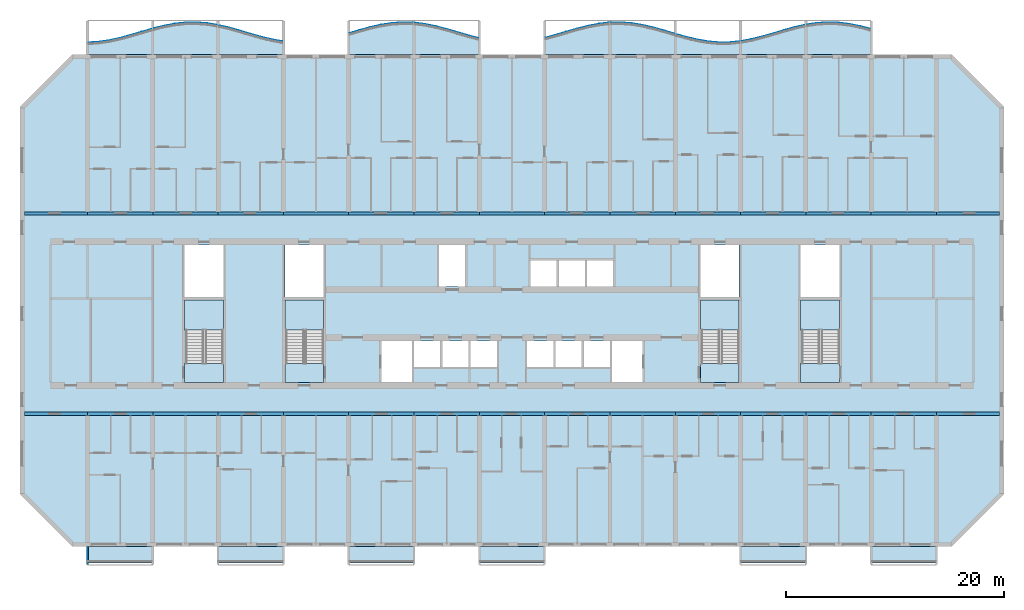
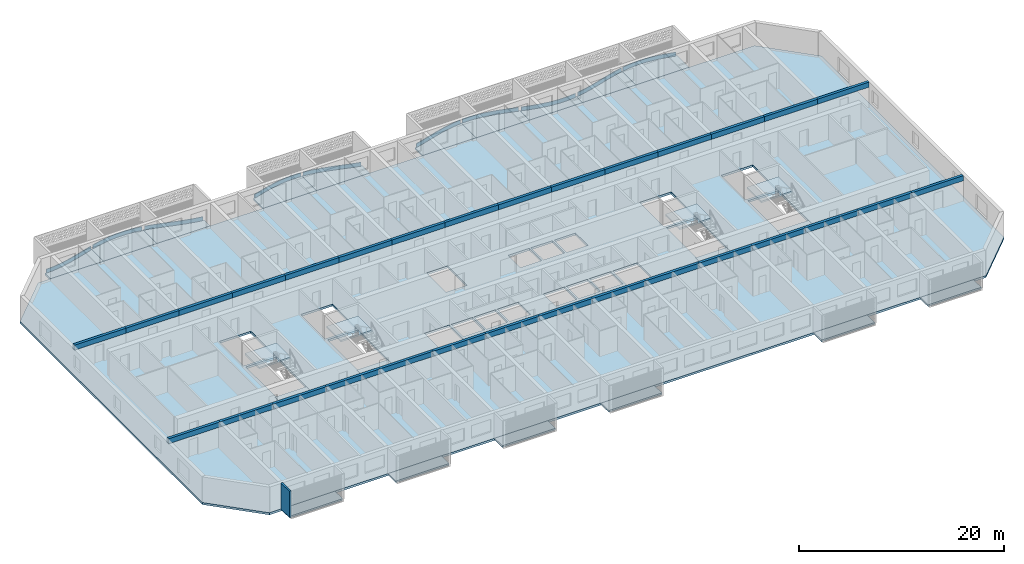
# One storey, part 1 of 39: 30 beams, 25 slabs, 10 plates, 1 wall, 4 elements without a shape of their own.
"""IFC4 building model written with IfcOpenShell, lengths in metres."""

from ifc_helpers import new_model, si_unit, direction, frame, origin, origin_2d, place, context, subcontext, project, spatial, polyline, rectangle, outline, extrude, source, transform, mapped, material, layer, layer_set, material_profile, profile_set, type_object, element, aggregate, save


model = new_model("IFC4")

# Units and contexts
model_context = context("Model", 3, precision=1e-05, world=origin(), true_north=direction((0.0, 1.0)))
body_context = subcontext(model_context, "Body", "Model", "MODEL_VIEW")
ifc_project = project(units=[si_unit("LENGTHUNIT", "METRE"), si_unit("AREAUNIT", "SQUARE_METRE"), si_unit("VOLUMEUNIT", "CUBIC_METRE"), si_unit("PLANEANGLEUNIT", "RADIAN"), si_unit("MASSUNIT", "GRAM", prefix="KILO")], contexts=[model_context])

# Site, building, storey
site_placement = place(None, origin())
site = spatial("IfcSite", under=ifc_project, at=site_placement, CompositionType="ELEMENT")
building_placement = place(site_placement, origin())
building = spatial("IfcBuilding", under=site, at=building_placement, Name="Poui Terraces", CompositionType="ELEMENT")
storey_placement = place(building_placement, frame((0.0, 0.0, 59.699951171875)))
storey = spatial("IfcBuildingStorey", under=building, at=storey_placement, Name="L16", CompositionType="ELEMENT", Elevation=59.699951171875)

# Beams
ifc_material_1 = material(Name="Concrete 80 MPa", Category="concrete")
ifc_material_profile = material_profile(ifc_material_1, rectangle(XDim=0.300048828125, YDim=0.60009765625, at=origin_2d()), Name="RC 300x600")
ifc_profile_set = profile_set([ifc_material_profile], Name="Concrete 80 MPa")
beam_type = type_object("IfcBeamType", Name="COUPLING BEAM 300x600 80MPa", PredefinedType="BEAM", material=ifc_profile_set)
shared_shape_1 = source(origin(), body_context, "Body", "SweptSolid", [
    extrude(rectangle(XDim=0.300048828125, YDim=0.60009765625, at=origin_2d()), origin(), (0.0, 0.0, 1.0), 6.0),
])
for number, where, z_axis, x_axis, name in (
    (1, (12.0, 12.0, 2.75), (1.0, 0.0, 0.0), (0.0, 1.0, 0.0), "COUPLING BEAM LINE B BAY 2"),
    (2, (18.0, 12.0, 2.75), (1.0, 0.0, 0.0), (0.0, 1.0, 0.0), "COUPLING BEAM LINE B BAY 3"),
    (3, (24.0, 12.0, 2.75), (1.0, 0.0, 0.0), (0.0, 1.0, 0.0), "COUPLING BEAM LINE B BAY 4"),
    (4, (30.0, 12.0, 2.75), (1.0, 0.0, 0.0), (0.0, 1.0, 0.0), "COUPLING BEAM LINE B BAY 5"),
    (5, (36.0, 12.0, 2.75), (1.0, 0.0, 0.0), (0.0, 1.0, 0.0), "COUPLING BEAM LINE B BAY 6"),
    (6, (42.0, 12.0, 2.75), (1.0, 0.0, 0.0), (0.0, 1.0, 0.0), "COUPLING BEAM LINE B BAY 7"),
    (7, (48.0, 12.0, 2.75), (1.0, 0.0, 0.0), (0.0, 1.0, 0.0), "COUPLING BEAM LINE B BAY 8"),
    (8, (54.0, 12.0, 2.75), (1.0, 0.0, 0.0), (0.0, 1.0, 0.0), "COUPLING BEAM LINE B BAY 9"),
    (9, (60.0, 12.0, 2.75), (1.0, 0.0, 0.0), (0.0, 1.0, 0.0), "COUPLING BEAM LINE B BAY 10"),
    (10, (66.0, 12.0, 2.75), (1.0, 0.0, 0.0), (0.0, 1.0, 0.0), "COUPLING BEAM LINE B BAY 11"),
    (11, (72.0, 12.0, 2.75), (1.0, 0.0, 0.0), (0.0, 1.0, 0.0), "COUPLING BEAM LINE B BAY 12"),
    (12, (78.0, 12.0, 2.75), (1.0, 0.0, 0.0), (0.0, 1.0, 0.0), "COUPLING BEAM LINE B BAY 13"),
    (13, (84.0, 12.0, 2.75), (1.0, 0.0, 0.0), (0.0, 1.0, 0.0), "COUPLING BEAM LINE B BAY 14"),
    (14, (12.0, 30.39990234375, 2.75), (1.0, 0.0, 0.0), (0.0, 1.0, 0.0), "COUPLING BEAM LINE E BAY 2"),
    (15, (18.0, 30.39990234375, 2.75), (1.0, 0.0, 0.0), (0.0, 1.0, 0.0), "COUPLING BEAM LINE E BAY 3"),
    (16, (24.0, 30.39990234375, 2.75), (1.0, 0.0, 0.0), (0.0, 1.0, 0.0), "COUPLING BEAM LINE E BAY 4"),
    (17, (30.0, 30.39990234375, 2.75), (1.0, 0.0, 0.0), (0.0, 1.0, 0.0), "COUPLING BEAM LINE E BAY 5"),
    (18, (36.0, 30.39990234375, 2.75), (1.0, 0.0, 0.0), (0.0, 1.0, 0.0), "COUPLING BEAM LINE E BAY 6"),
    (19, (42.0, 30.39990234375, 2.75), (1.0, 0.0, 0.0), (0.0, 1.0, 0.0), "COUPLING BEAM LINE E BAY 7"),
    (20, (48.0, 30.39990234375, 2.75), (1.0, 0.0, 0.0), (0.0, 1.0, 0.0), "COUPLING BEAM LINE E BAY 8"),
    (21, (54.0, 30.39990234375, 2.75), (1.0, 0.0, 0.0), (0.0, 1.0, 0.0), "COUPLING BEAM LINE E BAY 9"),
    (22, (60.0, 30.39990234375, 2.75), (1.0, 0.0, 0.0), (0.0, 1.0, 0.0), "COUPLING BEAM LINE E BAY 10"),
    (23, (66.0, 30.39990234375, 2.75), (1.0, 0.0, 0.0), (0.0, 1.0, 0.0), "COUPLING BEAM LINE E BAY 11"),
    (24, (72.0, 30.39990234375, 2.75), (1.0, 0.0, 0.0), (0.0, 1.0, 0.0), "COUPLING BEAM LINE E BAY 12"),
    (25, (78.0, 30.39990234375, 2.75), (1.0, 0.0, 0.0), (0.0, 1.0, 0.0), "COUPLING BEAM LINE E BAY 13"),
    (26, (84.0, 30.39990234375, 2.75), (1.0, 0.0, 0.0), (0.0, 1.0, 0.0), "COUPLING BEAM LINE E BAY 14"),
):
    element("IfcBeam", number, at=place(storey_placement, frame(where, z_axis=z_axis, x_axis=x_axis)), inside=storey, type_object=beam_type, Name=name, PredefinedType="BEAM", context=body_context, shape_type="MappedRepresentation", body=[
        mapped(shared_shape_1, transform((0.0, 0.0, 0.0))),
    ])
shared_shape_2 = source(origin(), body_context, "Body", "SweptSolid", [
    extrude(rectangle(XDim=0.300048828125, YDim=0.60009765625, at=origin_2d()), origin(), (0.0, 0.0, 1.0), 5.800048828125),
])
for number, where, z_axis, x_axis, name in (
    (27, (6.199951171875, 12.0, 2.75), (1.0, 0.0, 0.0), (0.0, 1.0, 0.0), "COUPLING BEAM LINE B BAY 1"),
    (28, (90.0, 12.0, 2.75), (1.0, 0.0, 0.0), (0.0, 1.0, 0.0), "COUPLING BEAM LINE B BAY 15"),
    (29, (6.199951171875, 30.39990234375, 2.75), (1.0, 0.0, 0.0), (0.0, 1.0, 0.0), "COUPLING BEAM LINE E BAY 1"),
    (30, (90.0, 30.39990234375, 2.75), (1.0, 0.0, 0.0), (0.0, 1.0, 0.0), "COUPLING BEAM LINE E BAY 15"),
):
    element("IfcBeam", number, at=place(storey_placement, frame(where, z_axis=z_axis, x_axis=x_axis)), inside=storey, type_object=beam_type, Name=name, PredefinedType="BEAM", context=body_context, shape_type="MappedRepresentation", body=[
        mapped(shared_shape_2, transform((0.0, 0.0, 0.0))),
    ])

# Slabs
ifc_material_2 = material(Name="Precast concrete 40 MPa", Category="concrete")
ifc_layer_1 = layer(ifc_material_2, 0.199951171875)
ifc_layer_set_1 = layer_set([ifc_layer_1], Name="Precast concrete 40 MPa")
slab_type_1 = type_object("IfcSlabType", Name="BALCONY SLAB 200", PredefinedType="FLOOR", material=ifc_layer_set_1)
slab_1_placement = place(storey_placement, frame((0.0, 0.0, -0.199951171875)))
element("IfcSlab", 31, at=slab_1_placement, inside=storey, type_object=slab_type_1, Name="BALCONY SLAB", PredefinedType="FLOOR", context=body_context, shape_type="SweptSolid", body=[
    extrude(outline(polyline([(12.0, 45.0), (18.0, 45.0), (18.0, 47.376220703125), (17.0, 47.0869140625), (16.0, 46.79150390625), (15.0, 46.520263671875), (14.0, 46.30078125), (13.0, 46.15576171875), (12.0, 46.100341796875), (12.0, 45.0)])), origin(), (0.0, 0.0, 1.0), 0.199951171875),
])
slab_2_placement = place(storey_placement, frame((0.0, 0.0, -0.199951171875)))
element("IfcSlab", 32, at=slab_2_placement, inside=storey, type_object=slab_type_1, Name="BALCONY SLAB", PredefinedType="FLOOR", context=body_context, shape_type="SweptSolid", body=[
    extrude(outline(polyline([(18.0, 45.0), (24.0, 45.0), (24.0, 47.70068359375), (23.0, 47.865966796875), (22.0, 47.944580078125), (21.0, 47.9287109375), (20.0, 47.81982421875), (19.0, 47.62890625), (18.0, 47.376220703125), (18.0, 45.0)])), origin(), (0.0, 0.0, 1.0), 0.199951171875),
])
slab_3_placement = place(storey_placement, frame((0.0, 0.0, -0.199951171875)))
element("IfcSlab", 33, at=slab_3_placement, inside=storey, type_object=slab_type_1, Name="BALCONY SLAB", PredefinedType="FLOOR", context=body_context, shape_type="SweptSolid", body=[
    extrude(outline(polyline([(24.0, 45.0), (30.0, 45.0), (30.0, 46.194580078125), (29.0, 46.36669921875), (28.0, 46.606201171875), (27.0, 46.888916015625), (26.0, 47.185546875), (25.0, 47.4658203125), (24.0, 47.70068359375), (24.0, 45.0)])), origin(), (0.0, 0.0, 1.0), 0.199951171875),
])
slab_4_placement = place(storey_placement, frame((0.0, 0.0, -0.199951171875)))
element("IfcSlab", 34, at=slab_4_placement, inside=storey, type_object=slab_type_1, Name="BALCONY SLAB", PredefinedType="FLOOR", context=body_context, shape_type="SweptSolid", body=[
    extrude(outline(polyline([(36.0, 45.0), (42.0, 45.0), (42.0, 47.9169921875), (41.0, 47.94873046875), (40.0, 47.885498046875), (39.0, 47.733642578125), (38.0, 47.5087890625), (37.0, 47.234375), (36.0, 46.938232421875), (36.0, 45.0)])), origin(), (0.0, 0.0, 1.0), 0.199951171875),
])
slab_5_placement = place(storey_placement, frame((0.0, 0.0, -0.199951171875)))
element("IfcSlab", 35, at=slab_5_placement, inside=storey, type_object=slab_type_1, Name="BALCONY SLAB", PredefinedType="FLOOR", context=body_context, shape_type="SweptSolid", body=[
    extrude(outline(polyline([(42.0, 45.0), (48.0, 45.0), (48.0, 46.479248046875), (47.0, 46.743896484375), (46.0, 47.037353515625), (45.0, 47.32958984375), (44.0, 47.590576171875), (43.0, 47.793212890625), (42.0, 47.9169921875), (42.0, 45.0)])), origin(), (0.0, 0.0, 1.0), 0.199951171875),
])
slab_6_placement = place(storey_placement, frame((0.0, 0.0, -0.199951171875)))
element("IfcSlab", 36, at=slab_6_placement, inside=storey, type_object=slab_type_1, Name="BALCONY SLAB", PredefinedType="FLOOR", context=body_context, shape_type="SweptSolid", body=[
    extrude(outline(polyline([(54.0, 45.0), (60.0, 45.0), (60.0, 47.9287109375), (59.0, 47.81982421875), (58.0, 47.62890625), (57.0, 47.376220703125), (56.0, 47.0869140625), (55.0, 46.79150390625), (54.0, 46.520263671875), (54.0, 45.0)])), origin(), (0.0, 0.0, 1.0), 0.199951171875),
])
slab_7_placement = place(storey_placement, frame((0.0, 0.0, -0.199951171875)))
element("IfcSlab", 37, at=slab_7_placement, inside=storey, type_object=slab_type_1, Name="BALCONY SLAB", PredefinedType="FLOOR", context=body_context, shape_type="SweptSolid", body=[
    extrude(outline(polyline([(60.0, 45.0), (66.0, 45.0), (66.0, 46.888916015625), (65.0, 47.185546875), (64.0, 47.4658203125), (63.0, 47.70068359375), (62.0, 47.865966796875), (61.0, 47.944580078125), (60.0, 47.9287109375), (60.0, 45.0)])), origin(), (0.0, 0.0, 1.0), 0.199951171875),
])
slab_8_placement = place(storey_placement, frame((0.0, 0.0, -0.199951171875)))
element("IfcSlab", 38, at=slab_8_placement, inside=storey, type_object=slab_type_1, Name="BALCONY SLAB", PredefinedType="FLOOR", context=body_context, shape_type="SweptSolid", body=[
    extrude(outline(polyline([(66.0, 45.0), (72.0, 45.0), (72.0, 46.2177734375), (71.0, 46.1162109375), (70.0, 46.1083984375), (69.0, 46.194580078125), (68.0, 46.36669921875), (67.0, 46.606201171875), (66.0, 46.888916015625), (66.0, 45.0)])), origin(), (0.0, 0.0, 1.0), 0.199951171875),
])
slab_9_placement = place(storey_placement, frame((0.0, 0.0, -0.199951171875)))
element("IfcSlab", 39, at=slab_9_placement, inside=storey, type_object=slab_type_1, Name="BALCONY SLAB", PredefinedType="FLOOR", context=body_context, shape_type="SweptSolid", body=[
    extrude(outline(polyline([(72.0, 45.0), (78.0, 45.0), (78.0, 47.733642578125), (77.0, 47.5087890625), (76.0, 47.234375), (75.0, 46.938232421875), (74.0, 46.65087890625), (73.0, 46.40234375), (72.0, 46.2177734375), (72.0, 45.0)])), origin(), (0.0, 0.0, 1.0), 0.199951171875),
])
slab_10_placement = place(storey_placement, frame((0.0, 0.0, -0.199951171875)))
element("IfcSlab", 40, at=slab_10_placement, inside=storey, type_object=slab_type_1, Name="BALCONY SLAB", PredefinedType="FLOOR", context=body_context, shape_type="SweptSolid", body=[
    extrude(outline(polyline([(78.0, 45.0), (84.0, 45.0), (84.0, 47.32958984375), (83.0, 47.590576171875), (82.0, 47.793212890625), (81.0, 47.9169921875), (80.0, 47.94873046875), (79.0, 47.885498046875), (78.0, 47.733642578125), (78.0, 45.0)])), origin(), (0.0, 0.0, 1.0), 0.199951171875),
])

# Stair, slabs
stair_type = type_object("IfcStairType", Name="EXIT STAIR 1650 80 MPA", PredefinedType="HALF_TURN_STAIR", material=ifc_material_1)
stair_1_placement = place(storey_placement, origin())
stair_1 = element("IfcStair", 41, at=stair_1_placement, inside=storey, type_object=stair_type, Name="L16 CORE STAIR EAST", PredefinedType="HALF_TURN_STAIR")
ifc_layer_2 = layer(ifc_material_1, 0.199951171875)
ifc_layer_set_2 = layer_set([ifc_layer_2], Name="Concrete 80 MPa")
slab_type_2 = type_object("IfcSlabType", Name="STAIR LANDING 200 80 MPA", PredefinedType="LANDING", material=ifc_layer_set_2)
slab_11_placement = place(storey_placement, frame((0.0, 0.0, 1.449951171875)))
slab_11 = element("IfcSlab", 42, at=slab_11_placement, type_object=slab_type_2, Name="ST-CE landing 1", PredefinedType="LANDING", context=body_context, shape_type="SweptSolid", body=[
    extrude(outline(polyline([(68.324951171875, 19.679931640625), (71.875, 19.679931640625), (71.875, 22.47509765625), (68.324951171875, 22.47509765625), (68.324951171875, 19.679931640625)])), origin(), (0.0, 0.0, 1.0), 0.2001953125),
])
slab_12_placement = place(storey_placement, frame((0.0, 0.0, -0.199951171875)))
slab_12 = element("IfcSlab", 43, at=slab_12_placement, type_object=slab_type_2, Name="ST-CE landing 2", PredefinedType="LANDING", context=body_context, shape_type="SweptSolid", body=[
    extrude(outline(polyline([(68.324951171875, 14.89990234375), (71.875, 14.89990234375), (71.875, 16.60009765625), (68.324951171875, 16.60009765625), (68.324951171875, 14.89990234375)])), origin(), (0.0, 0.0, 1.0), 0.199951171875),
])
aggregate(stair_1, [slab_11, slab_12])

stair_2_placement = place(storey_placement, origin())
stair_2 = element("IfcStair", 44, at=stair_2_placement, inside=storey, type_object=stair_type, Name="L16 CORE STAIR WEST", PredefinedType="HALF_TURN_STAIR")
slab_13_placement = place(storey_placement, frame((0.0, 0.0, 1.449951171875)))
slab_13 = element("IfcSlab", 45, at=slab_13_placement, type_object=slab_type_2, Name="ST-CW landing 1", PredefinedType="LANDING", context=body_context, shape_type="SweptSolid", body=[
    extrude(outline(polyline([(30.125, 19.679931640625), (33.675048828125, 19.679931640625), (33.675048828125, 22.47509765625), (30.125, 22.47509765625), (30.125, 19.679931640625)])), origin(), (0.0, 0.0, 1.0), 0.2001953125),
])
slab_14_placement = place(storey_placement, frame((0.0, 0.0, -0.199951171875)))
slab_14 = element("IfcSlab", 46, at=slab_14_placement, type_object=slab_type_2, Name="ST-CW landing 2", PredefinedType="LANDING", context=body_context, shape_type="SweptSolid", body=[
    extrude(outline(polyline([(30.125, 14.89990234375), (33.675048828125, 14.89990234375), (33.675048828125, 16.60009765625), (30.125, 16.60009765625), (30.125, 14.89990234375)])), origin(), (0.0, 0.0, 1.0), 0.199951171875),
])
aggregate(stair_2, [slab_13, slab_14])

stair_3_placement = place(storey_placement, origin())
stair_3 = element("IfcStair", 47, at=stair_3_placement, inside=storey, type_object=stair_type, Name="L16 TIP STAIR EAST", PredefinedType="HALF_TURN_STAIR")
slab_15_placement = place(storey_placement, frame((0.0, 0.0, 1.449951171875)))
slab_15 = element("IfcSlab", 48, at=slab_15_placement, type_object=slab_type_2, Name="ST-E landing 1", PredefinedType="LANDING", context=body_context, shape_type="SweptSolid", body=[
    extrude(outline(polyline([(77.52490234375, 19.679931640625), (81.074951171875, 19.679931640625), (81.074951171875, 22.47509765625), (77.52490234375, 22.47509765625), (77.52490234375, 19.679931640625)])), origin(), (0.0, 0.0, 1.0), 0.2001953125),
])
slab_16_placement = place(storey_placement, frame((0.0, 0.0, -0.199951171875)))
slab_16 = element("IfcSlab", 49, at=slab_16_placement, type_object=slab_type_2, Name="ST-E landing 2", PredefinedType="LANDING", context=body_context, shape_type="SweptSolid", body=[
    extrude(outline(polyline([(77.52490234375, 14.89990234375), (81.074951171875, 14.89990234375), (81.074951171875, 16.60009765625), (77.52490234375, 16.60009765625), (77.52490234375, 14.89990234375)])), origin(), (0.0, 0.0, 1.0), 0.199951171875),
])
aggregate(stair_3, [slab_15, slab_16])

stair_4_placement = place(storey_placement, origin())
stair_4 = element("IfcStair", 50, at=stair_4_placement, inside=storey, type_object=stair_type, Name="L16 TIP STAIR WEST", PredefinedType="HALF_TURN_STAIR")
slab_17_placement = place(storey_placement, frame((0.0, 0.0, 1.449951171875)))
slab_17 = element("IfcSlab", 51, at=slab_17_placement, type_object=slab_type_2, Name="ST-W landing 1", PredefinedType="LANDING", context=body_context, shape_type="SweptSolid", body=[
    extrude(outline(polyline([(20.925048828125, 19.679931640625), (24.47509765625, 19.679931640625), (24.47509765625, 22.47509765625), (20.925048828125, 22.47509765625), (20.925048828125, 19.679931640625)])), origin(), (0.0, 0.0, 1.0), 0.2001953125),
])
slab_18_placement = place(storey_placement, frame((0.0, 0.0, -0.199951171875)))
slab_18 = element("IfcSlab", 52, at=slab_18_placement, type_object=slab_type_2, Name="ST-W landing 2", PredefinedType="LANDING", context=body_context, shape_type="SweptSolid", body=[
    extrude(outline(polyline([(20.925048828125, 14.89990234375), (24.47509765625, 14.89990234375), (24.47509765625, 16.60009765625), (20.925048828125, 16.60009765625), (20.925048828125, 14.89990234375)])), origin(), (0.0, 0.0, 1.0), 0.199951171875),
])
aggregate(stair_4, [slab_17, slab_18])

# Plates
ifc_layer_3 = layer(ifc_material_2, 0.080078125)
ifc_layer_set_3 = layer_set([ifc_layer_3], Name="Precast concrete 40 MPa")
plate_type = type_object("IfcPlateType", Name="SUNSHADE UPSTAND 80", PredefinedType="SHEET", material=ifc_layer_set_3)
plate_1_placement = place(storey_placement, origin())
element("IfcPlate", 53, at=plate_1_placement, inside=storey, type_object=plate_type, Name="SUNSHADE UPSTAND", PredefinedType="SHEET", context=body_context, shape_type="SweptSolid", body=[
    extrude(outline(polyline([(12.995849609375, 46.150634765625), (12.12255859375, 46.096923828125), (12.12744140625, 46.01708984375), (13.004150390625, 46.071044921875), (14.007080078125, 46.21630859375), (15.009521484375, 46.436279296875), (16.010986328125, 46.7080078125), (17.01123046875, 47.003662109375), (17.88623046875, 47.258056640625), (17.86376953125, 47.334716796875), (16.98876953125, 47.080322265625), (15.989013671875, 46.78515625), (14.990478515625, 46.513916015625), (13.992919921875, 46.295166015625), (12.995849609375, 46.150634765625)])), origin(), (0.0, 0.0, 1.0), 0.449951171875),
])
plate_2_placement = place(storey_placement, origin())
element("IfcPlate", 54, at=plate_2_placement, inside=storey, type_object=plate_type, Name="SUNSHADE UPSTAND", PredefinedType="SHEET", context=body_context, shape_type="SweptSolid", body=[
    extrude(outline(polyline([(18.991455078125, 47.623046875), (18.115234375, 47.404052734375), (18.134765625, 47.326416015625), (19.008544921875, 47.544921875), (20.005859375, 47.735107421875), (21.00244140625, 47.84375), (21.998779296875, 47.859619140625), (22.995361328125, 47.78125), (23.86865234375, 47.64111328125), (23.88134765625, 47.719970703125), (23.004638671875, 47.860595703125), (22.001220703125, 47.939697265625), (20.99755859375, 47.923583984375), (19.994140625, 47.814453125), (18.991455078125, 47.623046875)])), origin(), (0.0, 0.0, 1.0), 0.449951171875),
])
plate_3_placement = place(storey_placement, origin())
element("IfcPlate", 55, at=plate_3_placement, inside=storey, type_object=plate_type, Name="SUNSHADE UPSTAND", PredefinedType="SHEET", context=body_context, shape_type="SweptSolid", body=[
    extrude(outline(polyline([(25.010009765625, 47.459716796875), (24.13427734375, 47.668701171875), (24.11572265625, 47.5908203125), (24.989990234375, 47.382080078125), (25.989013671875, 47.102294921875), (26.989013671875, 46.805419921875), (27.989990234375, 46.5224609375), (28.99169921875, 46.282470703125), (29.867919921875, 46.12744140625), (29.882080078125, 46.206298828125), (29.00830078125, 46.360595703125), (28.010009765625, 46.599853515625), (27.010986328125, 46.88232421875), (26.010986328125, 47.17919921875), (25.010009765625, 47.459716796875)])), origin(), (0.0, 0.0, 1.0), 0.449951171875),
])
plate_4_placement = place(storey_placement, origin())
element("IfcPlate", 56, at=plate_4_placement, inside=storey, type_object=plate_type, Name="SUNSHADE UPSTAND", PredefinedType="SHEET", context=body_context, shape_type="SweptSolid", body=[
    extrude(outline(polyline([(36.989013671875, 47.227783203125), (36.113525390625, 46.96875), (36.136474609375, 46.89208984375), (37.010986328125, 47.15087890625), (38.009765625, 47.425048828125), (39.00732421875, 47.6494140625), (40.00439453125, 47.800537109375), (41.000732421875, 47.863525390625), (41.8740234375, 47.841064453125), (41.8759765625, 47.9208984375), (41.842041015625, 47.921875), (40.999267578125, 47.943603515625), (39.99560546875, 47.880126953125), (38.99267578125, 47.727783203125), (37.990234375, 47.502685546875), (36.989013671875, 47.227783203125)])), origin(), (0.0, 0.0, 1.0), 0.449951171875),
])
plate_5_placement = place(storey_placement, origin())
element("IfcPlate", 57, at=plate_5_placement, inside=storey, type_object=plate_type, Name="SUNSHADE UPSTAND", PredefinedType="SHEET", context=body_context, shape_type="SweptSolid", body=[
    extrude(outline(polyline([(43.006591796875, 47.78759765625), (42.1572265625, 47.8974609375), (42.130126953125, 47.90087890625), (42.119873046875, 47.821533203125), (42.993408203125, 47.708740234375), (43.990966796875, 47.506591796875), (44.9892578125, 47.24609375), (45.98876953125, 46.9541015625), (46.9892578125, 46.660400390625), (47.86474609375, 46.42626953125), (47.88525390625, 46.50341796875), (47.0107421875, 46.7373046875), (46.01123046875, 47.03076171875), (45.0107421875, 47.3232421875), (44.009033203125, 47.58447265625), (43.006591796875, 47.78759765625)])), origin(), (0.0, 0.0, 1.0), 0.449951171875),
])
plate_6_placement = place(storey_placement, origin())
element("IfcPlate", 58, at=plate_6_placement, inside=storey, type_object=plate_type, Name="SUNSHADE UPSTAND", PredefinedType="SHEET", context=body_context, shape_type="SweptSolid", body=[
    extrude(outline(polyline([(54.989013671875, 46.78515625), (54.114501953125, 46.54541015625), (54.135498046875, 46.46826171875), (55.010986328125, 46.7080078125), (56.01123046875, 47.003662109375), (57.010498046875, 47.29248046875), (58.0087890625, 47.544921875), (59.006103515625, 47.735107421875), (59.879638671875, 47.835205078125), (59.87060546875, 47.91455078125), (59.838134765625, 47.9111328125), (58.993896484375, 47.814453125), (57.9912109375, 47.623046875), (56.989501953125, 47.36962890625), (55.98876953125, 47.080322265625), (54.989013671875, 46.78515625)])), origin(), (0.0, 0.0, 1.0), 0.449951171875),
])
plate_7_placement = place(storey_placement, origin())
element("IfcPlate", 59, at=plate_7_placement, inside=storey, type_object=plate_type, Name="SUNSHADE UPSTAND", PredefinedType="SHEET", context=body_context, shape_type="SweptSolid", body=[
    extrude(outline(polyline([(61.00146484375, 47.939697265625), (60.16162109375, 47.931396484375), (60.12451171875, 47.9306640625), (60.12548828125, 47.850830078125), (60.99853515625, 47.859619140625), (61.9951171875, 47.78125), (62.9921875, 47.616455078125), (63.989990234375, 47.382080078125), (64.989013671875, 47.102294921875), (65.863525390625, 46.842529296875), (65.886474609375, 46.919189453125), (65.010986328125, 47.17919921875), (64.010009765625, 47.459716796875), (63.0078125, 47.69482421875), (62.0048828125, 47.860595703125), (61.00146484375, 47.939697265625)])), origin(), (0.0, 0.0, 1.0), 0.449951171875),
])
plate_8_placement = place(storey_placement, origin())
element("IfcPlate", 60, at=plate_8_placement, inside=storey, type_object=plate_type, Name="SUNSHADE UPSTAND", PredefinedType="SHEET", context=body_context, shape_type="SweptSolid", body=[
    extrude(outline(polyline([(67.010009765625, 46.599853515625), (66.1357421875, 46.845703125), (66.1142578125, 46.768798828125), (66.989990234375, 46.5224609375), (67.991943359375, 46.2822265625), (68.994873046875, 46.110107421875), (69.998291015625, 46.023193359375), (71.002197265625, 46.03125), (71.87890625, 46.115478515625), (71.87109375, 46.195068359375), (70.997802734375, 46.111328125), (70.001708984375, 46.103271484375), (69.005126953125, 46.189453125), (68.008056640625, 46.36083984375), (67.010009765625, 46.599853515625)])), origin(), (0.0, 0.0, 1.0), 0.449951171875),
])
plate_9_placement = place(storey_placement, origin())
element("IfcPlate", 61, at=plate_9_placement, inside=storey, type_object=plate_type, Name="SUNSHADE UPSTAND", PredefinedType="SHEET", context=body_context, shape_type="SweptSolid", body=[
    extrude(outline(polyline([(72.991455078125, 46.396484375), (72.11767578125, 46.23095703125), (72.13232421875, 46.15234375), (73.008544921875, 46.318359375), (74.01025390625, 46.5673828125), (75.01123046875, 46.854736328125), (76.010986328125, 47.15087890625), (77.009765625, 47.425048828125), (77.8837890625, 47.625), (77.8662109375, 47.703125), (76.990234375, 47.502685546875), (75.989013671875, 47.227783203125), (74.98876953125, 46.931640625), (73.98974609375, 46.644775390625), (72.991455078125, 46.396484375)])), origin(), (0.0, 0.0, 1.0), 0.449951171875),
])
plate_10_placement = place(storey_placement, origin())
element("IfcPlate", 62, at=plate_10_placement, inside=storey, type_object=plate_type, Name="SUNSHADE UPSTAND", PredefinedType="SHEET", context=body_context, shape_type="SweptSolid", body=[
    extrude(outline(polyline([(78.995849609375, 47.880126953125), (78.119140625, 47.75146484375), (78.130859375, 47.67236328125), (79.004150390625, 47.800537109375), (80.00048828125, 47.863525390625), (80.996826171875, 47.831787109375), (81.99365234375, 47.708740234375), (82.990966796875, 47.506591796875), (83.864990234375, 47.281005859375), (83.885009765625, 47.3583984375), (83.009033203125, 47.584716796875), (82.00634765625, 47.787841796875), (81.003173828125, 47.911865234375), (79.99951171875, 47.943603515625), (78.995849609375, 47.880126953125)])), origin(), (0.0, 0.0, 1.0), 0.449951171875),
])

# Slabs
ifc_material_3 = material(Name="Concrete 40 MPa", Category="concrete")
ifc_layer_4 = layer(ifc_material_3, 0.25)
ifc_layer_set_4 = layer_set([ifc_layer_4], Name="Concrete 40 MPa")
slab_type_3 = type_object("IfcSlabType", Name="FLOOR SLAB 250", PredefinedType="FLOOR", material=ifc_layer_set_4)
shared_shape_3 = source(origin(), body_context, "Body", "SweptSolid", [
    extrude(outline(polyline([(0.0, 0.0), (4.800048828125, -4.800048828125), (85.599853515625, -4.800048828125), (90.39990234375, 0.0), (90.39990234375, 35.599853515625), (85.599853515625, 40.39990234375), (4.800048828125, 40.39990234375), (0.0, 35.599853515625), (0.0, 0.0)]), holes=[polyline([(33.199951171875, 10.2998046875), (33.199951171875, 14.099853515625), (36.0, 14.099853515625), (36.0, 10.2998046875), (33.199951171875, 10.2998046875)]), polyline([(36.199951171875, 11.699951171875), (36.199951171875, 14.099853515625), (38.599853515625, 14.099853515625), (38.599853515625, 11.699951171875), (36.199951171875, 11.699951171875)]), polyline([(38.800048828125, 11.699951171875), (38.800048828125, 14.099853515625), (41.199951171875, 14.099853515625), (41.199951171875, 11.699951171875), (38.800048828125, 11.699951171875)]), polyline([(41.39990234375, 14.099853515625), (43.800048828125, 14.099853515625), (43.800048828125, 11.699951171875), (41.39990234375, 11.699951171875), (41.39990234375, 14.099853515625)]), polyline([(46.599853515625, 14.099853515625), (49.0, 14.099853515625), (49.0, 11.699951171875), (46.599853515625, 11.699951171875), (46.599853515625, 14.099853515625)]), polyline([(15.224853515625, 17.849853515625), (18.675048828125, 17.849853515625), (18.675048828125, 12.0), (18.675048828125, 10.2998046875), (15.125, 10.2998046875), (15.125, 12.0), (15.224853515625, 12.0), (15.224853515625, 17.849853515625)]), polyline([(24.425048828125, 17.849853515625), (27.875, 17.849853515625), (27.875, 12.0), (27.875, 10.2998046875), (24.324951171875, 10.2998046875), (24.324951171875, 12.0), (24.425048828125, 12.0), (24.425048828125, 17.849853515625)]), polyline([(15.125, 18.125), (15.125, 22.89990234375), (18.675048828125, 22.89990234375), (18.675048828125, 18.125), (15.125, 18.125)]), polyline([(24.324951171875, 22.89990234375), (27.875, 22.89990234375), (27.875, 18.125), (24.324951171875, 18.125), (24.324951171875, 22.89990234375)]), polyline([(38.5, 22.89990234375), (40.89990234375, 22.89990234375), (40.89990234375, 19.099853515625), (38.5, 19.099853515625), (38.5, 22.89990234375)]), polyline([(54.39990234375, 10.2998046875), (54.39990234375, 14.099853515625), (57.199951171875, 14.099853515625), (57.199951171875, 10.2998046875), (54.39990234375, 10.2998046875)]), polyline([(49.199951171875, 11.699951171875), (49.199951171875, 14.099853515625), (51.599853515625, 14.099853515625), (51.599853515625, 11.699951171875), (49.199951171875, 11.699951171875)]), polyline([(51.800048828125, 11.699951171875), (51.800048828125, 14.099853515625), (54.199951171875, 14.099853515625), (54.199951171875, 11.699951171875), (51.800048828125, 11.699951171875)]), polyline([(66.074951171875, 17.849853515625), (66.074951171875, 12.0), (66.074951171875, 10.2998046875), (62.52490234375, 10.2998046875), (62.52490234375, 12.0), (62.625, 12.0), (62.625, 17.849853515625), (66.074951171875, 17.849853515625)]), polyline([(75.27490234375, 17.849853515625), (75.27490234375, 12.0), (75.27490234375, 10.2998046875), (71.724853515625, 10.2998046875), (71.724853515625, 12.0), (71.824951171875, 12.0), (71.824951171875, 17.849853515625), (75.27490234375, 17.849853515625)]), polyline([(46.89990234375, 19.099853515625), (46.89990234375, 21.5), (49.300048828125, 21.5), (49.300048828125, 19.099853515625), (46.89990234375, 19.099853515625)]), polyline([(49.5, 19.099853515625), (49.5, 21.5), (51.89990234375, 21.5), (51.89990234375, 19.099853515625), (49.5, 19.099853515625)]), polyline([(52.099853515625, 19.099853515625), (52.099853515625, 21.5), (54.5, 21.5), (54.5, 19.099853515625), (52.099853515625, 19.099853515625)]), polyline([(62.52490234375, 22.89990234375), (66.074951171875, 22.89990234375), (66.074951171875, 18.125), (62.52490234375, 18.125), (62.52490234375, 22.89990234375)]), polyline([(71.724853515625, 22.89990234375), (75.27490234375, 22.89990234375), (75.27490234375, 18.125), (71.724853515625, 18.125), (71.724853515625, 22.89990234375)])]), origin(), (0.0, 0.0, 1.0), 0.25),
])
slab_19_placement = place(storey_placement, frame((5.800048828125, 4.60009765625, -0.25)))
element("IfcSlab", 63, at=slab_19_placement, inside=storey, type_object=slab_type_3, Name="FLOOR SLAB", PredefinedType="FLOOR", context=body_context, shape_type="MappedRepresentation", body=[
    mapped(shared_shape_3, transform((0.0, 0.0, 0.0))),
])
ifc_layer_5 = layer(ifc_material_2, 0.199951171875)
ifc_layer_set_5 = layer_set([ifc_layer_5], Name="Precast concrete 40 MPa")
slab_type_4 = type_object("IfcSlabType", Name="REAR BALCONY SLAB 200", PredefinedType="FLOOR", material=ifc_layer_set_5)
shared_shape_4 = source(origin(), body_context, "Body", "SweptSolid", [
    extrude(outline(polyline([(0.0, 0.0), (6.0, 0.0), (6.0, 1.5), (0.0, 1.5), (0.0, 0.0)])), origin(), (0.0, 0.0, 1.0), 0.199951171875),
])
for number, where, name in (
    (64, (12.0, -1.699951171875, -0.199951171875), "REAR BALCONY SLAB"),
    (65, (24.0, -1.699951171875, -0.199951171875), "REAR BALCONY SLAB"),
    (66, (36.0, -1.699951171875, -0.199951171875), "REAR BALCONY SLAB"),
    (67, (48.0, -1.699951171875, -0.199951171875), "REAR BALCONY SLAB"),
    (68, (72.0, -1.699951171875, -0.199951171875), "REAR BALCONY SLAB"),
    (69, (84.0, -1.699951171875, -0.199951171875), "REAR BALCONY SLAB"),
):
    element("IfcSlab", number, at=place(storey_placement, frame(where)), inside=storey, type_object=slab_type_4, Name=name, PredefinedType="FLOOR", context=body_context, shape_type="MappedRepresentation", body=[
        mapped(shared_shape_4, transform((0.0, 0.0, 0.0))),
    ])

# Wall
ifc_layer_6 = layer(ifc_material_2, 0.199951171875)
ifc_layer_set_6 = layer_set([ifc_layer_6], Name="Precast concrete 40 MPa")
wall_type = type_object("IfcWallType", Name="REAR FIN 200", PredefinedType="STANDARD", material=ifc_layer_set_6)
shared_shape_5 = source(origin(), body_context, "Body", "SweptSolid", [
    extrude(outline(polyline([(0.0, 0.0), (0.2001953125, 0.0), (0.2001953125, 1.650146484375), (0.0, 1.650146484375), (0.0, 0.0)])), origin(), (0.0, 0.0, 1.0), 3.10009765625),
])
wall_placement = place(storey_placement, frame((11.89990234375, -1.85009765625, 0.0)))
element("IfcWall", 70, at=wall_placement, inside=storey, type_object=wall_type, Name="REAR FIN", PredefinedType="STANDARD", context=body_context, shape_type="MappedRepresentation", body=[
    mapped(shared_shape_5, transform((0.0, 0.0, 0.0))),
])

save(model, "model.ifc")
